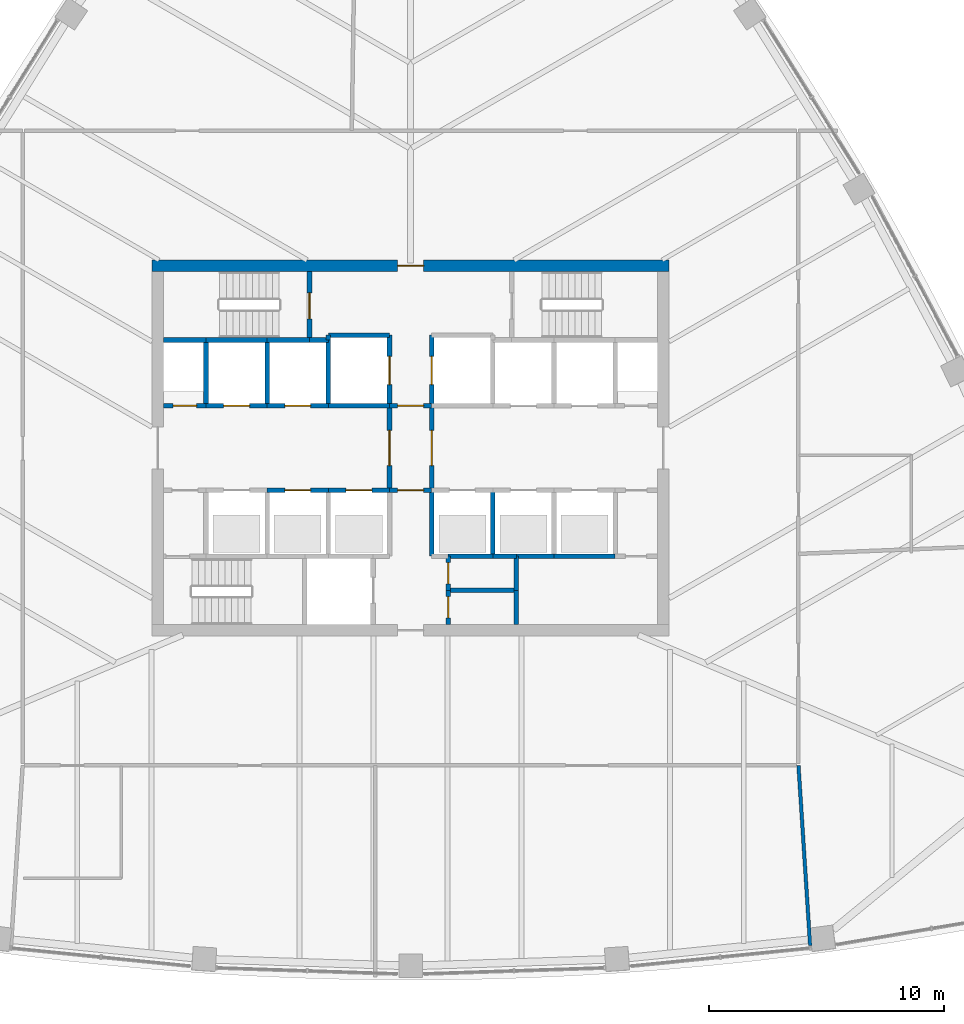
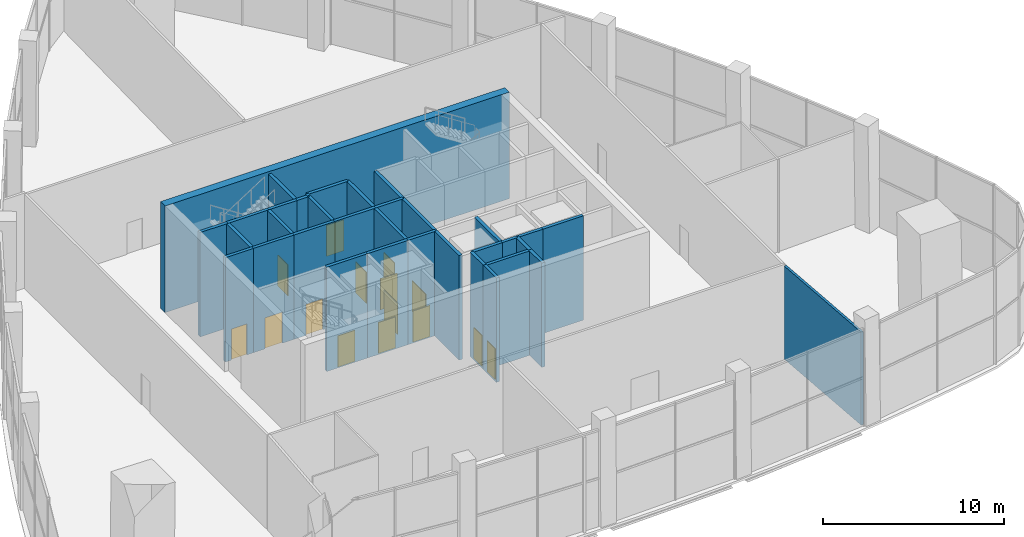
# One storey, part 10 of 15: 35 walls, 15 doors, 15 openings.
"""IFC4 building model written with IfcOpenShell, lengths in metres."""

from ifc_helpers import new_model, si_unit, direction, frame, frame_2d, origin, place, context, subcontext, project, spatial, rectangle, extrude, material, layer, layer_set, type_object, element, fill, save


model = new_model("IFC4")

# Units and contexts
model_context = context("Model", 3, precision=1e-05, world=origin(), true_north=direction((0.0, 1.0)))
body_context = subcontext(model_context, "Body", "Model", "MODEL_VIEW")
ifc_project = project(units=[si_unit("LENGTHUNIT", "METRE"), si_unit("AREAUNIT", "SQUARE_METRE"), si_unit("VOLUMEUNIT", "CUBIC_METRE"), si_unit("PLANEANGLEUNIT", "RADIAN"), si_unit("MASSUNIT", "GRAM", prefix="KILO")], contexts=[model_context])

# Site, building, storey
site_placement = place(None, origin())
site = spatial("IfcSite", under=ifc_project, at=site_placement, CompositionType="ELEMENT")
building_placement = place(site_placement, origin())
building = spatial("IfcBuilding", under=site, at=building_placement, Name="Sierra Prisma Convention Tower", CompositionType="ELEMENT")
storey_placement = place(building_placement, frame((0.0, 0.0, 118.60009765625)))
storey = spatial("IfcBuildingStorey", under=building, at=storey_placement, Name="L25", CompositionType="ELEMENT", Elevation=118.60009765625)

# Wall, opening, door
ifc_material_1 = material(Name="Concrete C30/37", Category="concrete")
ifc_layer_1 = layer(ifc_material_1, 0.199951171875)
ifc_layer_set_1 = layer_set([ifc_layer_1], Name="Core wall RC 200 C30/37")
wall_type_1 = type_object("IfcWallType", Name="Core wall RC 200 C30/37", PredefinedType="SOLIDWALL", material=ifc_layer_set_1)
wall_1_placement = place(storey_placement, frame((-8.699951171875, 1.800048828125, 0.0), z_axis=(0.0, 0.0, 1.0), x_axis=(-1.0, 0.0, 0.0)))
wall_1 = element("IfcWall", 1, at=wall_1_placement, inside=storey, type_object=wall_type_1, Name="Core wall L25 3", PredefinedType="SOLIDWALL", context=body_context, shape_type="SweptSolid", body=[
    extrude(rectangle(XDim=1.800048828125, YDim=0.199951171875, at=frame_2d((0.89990234375, 0.0))), origin(), (0.0, 0.0, 1.0), 7.0498046875),
])
opening_1_placement = place(wall_1_placement, frame((0.39990234375, 0.0, 0.0)))
opening_1 = element("IfcOpeningElement", 2, at=opening_1_placement, cuts=wall_1, Name="Opening L25-D019", PredefinedType="OPENING", context=body_context, shape_type="SweptSolid", body=[
    extrude(rectangle(XDim=1.0, YDim=2.10009765625, at=frame_2d((0.5, 1.050048828125))), frame((0.0, 0.10009765625, 0.0), z_axis=(0.0, -1.0, 0.0), x_axis=(1.0, 0.0, 0.0)), (0.0, 0.0, 1.0), 0.199951171875),
])
ifc_material_2 = material(Name="Steel fire door leaf", Category="steel")
door_type_1 = type_object("IfcDoorType", Name="Door 1000x2100 FD60S", OperationType="SINGLE_SWING_LEFT", PredefinedType="DOOR", material=ifc_material_2)
door_1_placement = place(opening_1_placement, origin())
door_1 = element("IfcDoor", 3, at=door_1_placement, inside=storey, type_object=door_type_1, Name="Door L25 28", OperationType="SINGLE_SWING_RIGHT", OverallHeight=2.10009765625, OverallWidth=1.0, PredefinedType="DOOR", context=body_context, shape_type="SweptSolid", body=[
    extrude(rectangle(XDim=1.0, YDim=2.10009765625, at=frame_2d((0.5, 1.050048828125))), frame((0.0, 0.02490234375, 0.0), z_axis=(0.0, -1.0, 0.0), x_axis=(1.0, 0.0, 0.0)), (0.0, 0.0, 1.0), 0.050048828125),
])
fill(opening_1, door_1)

# Wall
wall_2_placement = place(storey_placement, frame((-8.699951171875, 4.60009765625, 0.0), z_axis=(0.0, 0.0, 1.0), x_axis=(-1.0, 0.0, 0.0)))
element("IfcWall", 4, at=wall_2_placement, inside=storey, type_object=wall_type_1, Name="Core wall L25 4", PredefinedType="SOLIDWALL", context=body_context, shape_type="SweptSolid", body=[
    extrude(rectangle(XDim=1.800048828125, YDim=0.199951171875, at=frame_2d((0.89990234375, 0.0))), origin(), (0.0, 0.0, 1.0), 7.0498046875),
])

# Wall, opening, door
wall_3_placement = place(storey_placement, frame((-6.10009765625, 1.800048828125, 0.0), z_axis=(0.0, 0.0, 1.0), x_axis=(-1.0, 0.0, 0.0)))
wall_3 = element("IfcWall", 5, at=wall_3_placement, inside=storey, type_object=wall_type_1, Name="Core wall L25 8", PredefinedType="SOLIDWALL", context=body_context, shape_type="SweptSolid", body=[
    extrude(rectangle(XDim=2.599853515625, YDim=0.199951171875, at=frame_2d((1.2998046875, 0.0))), origin(), (0.0, 0.0, 1.0), 7.0498046875),
])
opening_2_placement = place(wall_3_placement, frame((0.75, 0.0, 0.0)))
opening_2 = element("IfcOpeningElement", 6, at=opening_2_placement, cuts=wall_3, Name="Opening L25-D007", PredefinedType="OPENING", context=body_context, shape_type="SweptSolid", body=[
    extrude(rectangle(XDim=1.10009765625, YDim=2.10009765625, at=frame_2d((0.550048828125, 1.050048828125))), frame((0.0, 0.10009765625, 0.0), z_axis=(0.0, -1.0, 0.0), x_axis=(1.0, 0.0, 0.0)), (0.0, 0.0, 1.0), 0.199951171875),
])
ifc_material_3 = material(Name="Steel fire door leaf", Category="steel")
door_type_2 = type_object("IfcDoorType", Name="Door 1100x2100 EI 90 sliding lift landing", OperationType="SLIDING_TO_LEFT", PredefinedType="DOOR", material=ifc_material_3)
door_2_placement = place(opening_2_placement, origin())
door_2 = element("IfcDoor", 7, at=door_2_placement, inside=storey, type_object=door_type_2, Name="Door L25 16", OperationType="SLIDING_TO_LEFT", OverallHeight=2.10009765625, OverallWidth=1.10009765625, PredefinedType="DOOR", context=body_context, shape_type="SweptSolid", body=[
    extrude(rectangle(XDim=1.10009765625, YDim=2.10009765625, at=frame_2d((0.550048828125, 1.050048828125))), frame((0.0, 0.02490234375, 0.0), z_axis=(0.0, -1.0, 0.0), x_axis=(1.0, 0.0, 0.0)), (0.0, 0.0, 1.0), 0.050048828125),
])
fill(opening_2, door_2)

# Walls
wall_4_placement = place(storey_placement, frame((-8.699951171875, 1.800048828125, 0.0), z_axis=(0.0, 0.0, 1.0), x_axis=(0.0, 1.0, 0.0)))
element("IfcWall", 8, at=wall_4_placement, inside=storey, type_object=wall_type_1, Name="Core wall L25 9", PredefinedType="SOLIDWALL", context=body_context, shape_type="SweptSolid", body=[
    extrude(rectangle(XDim=2.800048828125, YDim=0.199951171875, at=frame_2d((1.39990234375, 0.0))), origin(), (0.0, 0.0, 1.0), 7.0498046875),
])
wall_5_placement = place(storey_placement, frame((-6.10009765625, 4.60009765625, 0.0), z_axis=(0.0, 0.0, 1.0), x_axis=(-1.0, 0.0, 0.0)))
element("IfcWall", 9, at=wall_5_placement, inside=storey, type_object=wall_type_1, Name="Core wall L25 10", PredefinedType="SOLIDWALL", context=body_context, shape_type="SweptSolid", body=[
    extrude(rectangle(XDim=2.599853515625, YDim=0.199951171875, at=frame_2d((1.2998046875, 0.0))), origin(), (0.0, 0.0, 1.0), 7.0498046875),
])

# Wall, opening, door
wall_6_placement = place(storey_placement, frame((-6.10009765625, -1.800048828125, 0.0), z_axis=(0.0, 0.0, 1.0), x_axis=(1.0, 0.0, 0.0)))
wall_6 = element("IfcWall", 10, at=wall_6_placement, inside=storey, type_object=wall_type_1, Name="Core wall L25 13", PredefinedType="SOLIDWALL", context=body_context, shape_type="SweptSolid", body=[
    extrude(rectangle(XDim=2.60009765625, YDim=0.199951171875, at=frame_2d((1.300048828125, 0.0))), origin(), (0.0, 0.0, 1.0), 7.0498046875),
])
opening_3_placement = place(wall_6_placement, frame((0.75, 0.0, 0.0)))
opening_3 = element("IfcOpeningElement", 11, at=opening_3_placement, cuts=wall_6, Name="Opening L25-D002", PredefinedType="OPENING", context=body_context, shape_type="SweptSolid", body=[
    extrude(rectangle(XDim=1.10009765625, YDim=2.10009765625, at=frame_2d((0.550048828125, 1.050048828125))), frame((0.0, 0.10009765625, 0.0), z_axis=(0.0, -1.0, 0.0), x_axis=(1.0, 0.0, 0.0)), (0.0, 0.0, 1.0), 0.199951171875),
])
door_3_placement = place(opening_3_placement, origin())
door_3 = element("IfcDoor", 12, at=door_3_placement, inside=storey, type_object=door_type_2, Name="Door L25 11", OperationType="SLIDING_TO_RIGHT", OverallHeight=2.10009765625, OverallWidth=1.10009765625, PredefinedType="DOOR", context=body_context, shape_type="SweptSolid", body=[
    extrude(rectangle(XDim=1.10009765625, YDim=2.10009765625, at=frame_2d((0.550048828125, 1.050048828125))), frame((0.0, 0.02490234375, 0.0), z_axis=(0.0, -1.0, 0.0), x_axis=(1.0, 0.0, 0.0)), (0.0, 0.0, 1.0), 0.050048828125),
])
fill(opening_3, door_3)

wall_7_placement = place(storey_placement, frame((-3.5, 1.800048828125, 0.0), z_axis=(0.0, 0.0, 1.0), x_axis=(-1.0, 0.0, 0.0)))
wall_7 = element("IfcWall", 13, at=wall_7_placement, inside=storey, type_object=wall_type_1, Name="Core wall L25 14", PredefinedType="SOLIDWALL", context=body_context, shape_type="SweptSolid", body=[
    extrude(rectangle(XDim=2.60009765625, YDim=0.199951171875, at=frame_2d((1.300048828125, 0.0))), origin(), (0.0, 0.0, 1.0), 7.0498046875),
])
opening_4_placement = place(wall_7_placement, frame((0.75, 0.0, 0.0)))
opening_4 = element("IfcOpeningElement", 14, at=opening_4_placement, cuts=wall_7, Name="Opening L25-D008", PredefinedType="OPENING", context=body_context, shape_type="SweptSolid", body=[
    extrude(rectangle(XDim=1.10009765625, YDim=2.10009765625, at=frame_2d((0.550048828125, 1.050048828125))), frame((0.0, 0.10009765625, 0.0), z_axis=(0.0, -1.0, 0.0), x_axis=(1.0, 0.0, 0.0)), (0.0, 0.0, 1.0), 0.199951171875),
])
door_4_placement = place(opening_4_placement, origin())
door_4 = element("IfcDoor", 15, at=door_4_placement, inside=storey, type_object=door_type_2, Name="Door L25 17", OperationType="SLIDING_TO_RIGHT", OverallHeight=2.10009765625, OverallWidth=1.10009765625, PredefinedType="DOOR", context=body_context, shape_type="SweptSolid", body=[
    extrude(rectangle(XDim=1.10009765625, YDim=2.10009765625, at=frame_2d((0.550048828125, 1.050048828125))), frame((0.0, 0.02490234375, 0.0), z_axis=(0.0, -1.0, 0.0), x_axis=(1.0, 0.0, 0.0)), (0.0, 0.0, 1.0), 0.050048828125),
])
fill(opening_4, door_4)

# Walls
wall_8_placement = place(storey_placement, frame((-6.10009765625, 1.800048828125, 0.0), z_axis=(0.0, 0.0, 1.0), x_axis=(0.0, 1.0, 0.0)))
element("IfcWall", 16, at=wall_8_placement, inside=storey, type_object=wall_type_1, Name="Core wall L25 15", PredefinedType="SOLIDWALL", context=body_context, shape_type="SweptSolid", body=[
    extrude(rectangle(XDim=2.800048828125, YDim=0.199951171875, at=frame_2d((1.39990234375, 0.0))), origin(), (0.0, 0.0, 1.0), 7.0498046875),
])
wall_9_placement = place(storey_placement, frame((-4.300048828125, 4.60009765625, 0.0), z_axis=(0.0, 0.0, 1.0), x_axis=(-1.0, 0.0, 0.0)))
element("IfcWall", 17, at=wall_9_placement, inside=storey, type_object=wall_type_1, Name="Core wall L25 16", PredefinedType="SOLIDWALL", context=body_context, shape_type="SweptSolid", body=[
    extrude(rectangle(XDim=1.800048828125, YDim=0.199951171875, at=frame_2d((0.89990234375, 0.0))), origin(), (0.0, 0.0, 1.0), 7.0498046875),
])
wall_10_placement = place(storey_placement, frame((-3.5, 4.60009765625, 0.0), z_axis=(0.0, 0.0, 1.0), x_axis=(-1.0, 0.0, 0.0)))
element("IfcWall", 18, at=wall_10_placement, inside=storey, type_object=wall_type_1, Name="Core wall L25 19", PredefinedType="SOLIDWALL", context=body_context, shape_type="SweptSolid", body=[
    extrude(rectangle(XDim=0.800048828125, YDim=0.199951171875, at=frame_2d((0.39990234375, 0.0))), origin(), (0.0, 0.0, 1.0), 7.0498046875),
])

# Wall, opening, door
wall_11_placement = place(storey_placement, frame((-4.300048828125, 4.60009765625, 0.0), z_axis=(0.0, 0.0, 1.0), x_axis=(0.0, 1.0, 0.0)))
wall_11 = element("IfcWall", 19, at=wall_11_placement, inside=storey, type_object=wall_type_1, Name="Core wall L25 20", PredefinedType="SOLIDWALL", context=body_context, shape_type="SweptSolid", body=[
    extrude(rectangle(XDim=2.89990234375, YDim=0.199951171875, at=frame_2d((1.449951171875, 0.0))), origin(), (0.0, 0.0, 1.0), 7.0498046875),
])
opening_5_placement = place(wall_11_placement, frame((0.89990234375, 0.0, 0.0)))
opening_5 = element("IfcOpeningElement", 20, at=opening_5_placement, cuts=wall_11, Name="Opening L25-D022", PredefinedType="OPENING", context=body_context, shape_type="SweptSolid", body=[
    extrude(rectangle(XDim=1.10009765625, YDim=2.10009765625, at=frame_2d((0.550048828125, 1.050048828125))), frame((0.0, 0.10009765625, 0.0), z_axis=(0.0, -1.0, 0.0), x_axis=(1.0, 0.0, 0.0)), (0.0, 0.0, 1.0), 0.199951171875),
])
ifc_material_4 = material(Name="Steel fire door leaf", Category="steel")
door_type_3 = type_object("IfcDoorType", Name="Door 1100x2100 FD90S", OperationType="SINGLE_SWING_LEFT", PredefinedType="DOOR", material=ifc_material_4)
door_5_placement = place(opening_5_placement, origin())
door_5 = element("IfcDoor", 21, at=door_5_placement, inside=storey, type_object=door_type_3, Name="Door L25 31", OperationType="SINGLE_SWING_LEFT", OverallHeight=2.10009765625, OverallWidth=1.10009765625, PredefinedType="DOOR", context=body_context, shape_type="SweptSolid", body=[
    extrude(rectangle(XDim=1.10009765625, YDim=2.10009765625, at=frame_2d((0.550048828125, 1.050048828125))), frame((0.0, 0.02490234375, 0.0), z_axis=(0.0, -1.0, 0.0), x_axis=(1.0, 0.0, 0.0)), (0.0, 0.0, 1.0), 0.050048828125),
])
fill(opening_5, door_5)

wall_12_placement = place(storey_placement, frame((-3.5, -1.800048828125, 0.0), z_axis=(0.0, 0.0, 1.0), x_axis=(1.0, 0.0, 0.0)))
wall_12 = element("IfcWall", 22, at=wall_12_placement, inside=storey, type_object=wall_type_1, Name="Core wall L25 23", PredefinedType="SOLIDWALL", context=body_context, shape_type="SweptSolid", body=[
    extrude(rectangle(XDim=2.60009765625, YDim=0.199951171875, at=frame_2d((1.300048828125, 0.0))), origin(), (0.0, 0.0, 1.0), 7.0498046875),
])
opening_6_placement = place(wall_12_placement, frame((0.75, 0.0, 0.0)))
opening_6 = element("IfcOpeningElement", 23, at=opening_6_placement, cuts=wall_12, Name="Opening L25-D003", PredefinedType="OPENING", context=body_context, shape_type="SweptSolid", body=[
    extrude(rectangle(XDim=1.10009765625, YDim=2.10009765625, at=frame_2d((0.550048828125, 1.050048828125))), frame((0.0, 0.10009765625, 0.0), z_axis=(0.0, -1.0, 0.0), x_axis=(1.0, 0.0, 0.0)), (0.0, 0.0, 1.0), 0.199951171875),
])
door_6_placement = place(opening_6_placement, origin())
door_6 = element("IfcDoor", 24, at=door_6_placement, inside=storey, type_object=door_type_2, Name="Door L25 12", OperationType="SLIDING_TO_LEFT", OverallHeight=2.10009765625, OverallWidth=1.10009765625, PredefinedType="DOOR", context=body_context, shape_type="SweptSolid", body=[
    extrude(rectangle(XDim=1.10009765625, YDim=2.10009765625, at=frame_2d((0.550048828125, 1.050048828125))), frame((0.0, 0.02490234375, 0.0), z_axis=(0.0, -1.0, 0.0), x_axis=(1.0, 0.0, 0.0)), (0.0, 0.0, 1.0), 0.050048828125),
])
fill(opening_6, door_6)

# Walls
wall_13_placement = place(storey_placement, frame((-0.89990234375, 1.800048828125, 0.0), z_axis=(0.0, 0.0, 1.0), x_axis=(-1.0, 0.0, 0.0)))
element("IfcWall", 25, at=wall_13_placement, inside=storey, type_object=wall_type_1, Name="Core wall L25 24", PredefinedType="SOLIDWALL", context=body_context, shape_type="SweptSolid", body=[
    extrude(rectangle(XDim=2.60009765625, YDim=0.199951171875, at=frame_2d((1.300048828125, 0.0))), origin(), (0.0, 0.0, 1.0), 7.0498046875),
])
wall_14_placement = place(storey_placement, frame((-3.5, 4.60009765625, 0.0), z_axis=(0.0, 0.0, 1.0), x_axis=(0.0, -1.0, 0.0)))
element("IfcWall", 26, at=wall_14_placement, inside=storey, type_object=wall_type_1, Name="Core wall L25 25", PredefinedType="SOLIDWALL", context=body_context, shape_type="SweptSolid", body=[
    extrude(rectangle(XDim=2.800048828125, YDim=0.199951171875, at=frame_2d((1.39990234375, 0.0))), origin(), (0.0, 0.0, 1.0), 7.0498046875),
])

# Wall, opening, door
wall_15_placement = place(storey_placement, frame((-0.89990234375, 1.800048828125, 0.0), z_axis=(0.0, 0.0, 1.0), x_axis=(0.0, 1.0, 0.0)))
wall_15 = element("IfcWall", 27, at=wall_15_placement, inside=storey, type_object=wall_type_1, Name="Core wall L25 26", PredefinedType="SOLIDWALL", context=body_context, shape_type="SweptSolid", body=[
    extrude(rectangle(XDim=3.0, YDim=0.199951171875, at=frame_2d((1.5, 0.0))), origin(), (0.0, 0.0, 1.0), 7.0498046875),
])
opening_7_placement = place(wall_15_placement, frame((0.89990234375, 0.0, 0.0)))
opening_7 = element("IfcOpeningElement", 28, at=opening_7_placement, cuts=wall_15, Name="Opening L25-D011", PredefinedType="OPENING", context=body_context, shape_type="SweptSolid", body=[
    extrude(rectangle(XDim=1.199951171875, YDim=2.10009765625, at=frame_2d((0.60009765625, 1.050048828125))), frame((0.0, 0.10009765625, 0.0), z_axis=(0.0, -1.0, 0.0), x_axis=(1.0, 0.0, 0.0)), (0.0, 0.0, 1.0), 0.199951171875),
])
ifc_material_5 = material(Name="Steel fire door leaf", Category="steel")
door_type_4 = type_object("IfcDoorType", Name="Door 1200x2100 EI 90 sliding lift landing", OperationType="SLIDING_TO_LEFT", PredefinedType="DOOR", material=ifc_material_5)
door_7_placement = place(opening_7_placement, origin())
door_7 = element("IfcDoor", 29, at=door_7_placement, inside=storey, type_object=door_type_4, Name="Door L25 20", OperationType="SLIDING_TO_RIGHT", OverallHeight=2.10009765625, OverallWidth=1.199951171875, PredefinedType="DOOR", context=body_context, shape_type="SweptSolid", body=[
    extrude(rectangle(XDim=1.199951171875, YDim=2.10009765625, at=frame_2d((0.60009765625, 1.050048828125))), frame((0.0, 0.02490234375, 0.0), z_axis=(0.0, -1.0, 0.0), x_axis=(1.0, 0.0, 0.0)), (0.0, 0.0, 1.0), 0.050048828125),
])
fill(opening_7, door_7)

# Walls
wall_16_placement = place(storey_placement, frame((-0.89990234375, 4.800048828125, 0.0), z_axis=(0.0, 0.0, 1.0), x_axis=(-1.0, 0.0, 0.0)))
element("IfcWall", 30, at=wall_16_placement, inside=storey, type_object=wall_type_1, Name="Core wall L25 27", PredefinedType="SOLIDWALL", context=body_context, shape_type="SweptSolid", body=[
    extrude(rectangle(XDim=2.60009765625, YDim=0.199951171875, at=frame_2d((1.300048828125, 0.0))), origin(), (0.0, 0.0, 1.0), 7.0498046875),
])
wall_17_placement = place(storey_placement, frame((-3.5, 4.800048828125, 0.0), z_axis=(0.0, 0.0, 1.0), x_axis=(0.0, -1.0, 0.0)))
element("IfcWall", 31, at=wall_17_placement, inside=storey, type_object=wall_type_1, Name="Core wall L25 28", PredefinedType="SOLIDWALL", context=body_context, shape_type="SweptSolid", body=[
    extrude(rectangle(XDim=0.199951171875, YDim=0.199951171875, at=frame_2d((0.10009765625, 0.0))), origin(), (0.0, 0.0, 1.0), 7.0498046875),
])

# Wall, opening, door
wall_18_placement = place(storey_placement, frame((-0.89990234375, -1.800048828125, 0.0), z_axis=(0.0, 0.0, 1.0), x_axis=(1.0, 0.0, 0.0)))
wall_18 = element("IfcWall", 32, at=wall_18_placement, inside=storey, type_object=wall_type_1, Name="Core wall L25 32", PredefinedType="SOLIDWALL", context=body_context, shape_type="SweptSolid", body=[
    extrude(rectangle(XDim=1.7998046875, YDim=0.199951171875, at=frame_2d((0.89990234375, 0.0))), origin(), (0.0, 0.0, 1.0), 7.0498046875),
])
opening_8_placement = place(wall_18_placement, frame((0.35009765625, 0.0, 0.0)))
opening_8 = element("IfcOpeningElement", 33, at=opening_8_placement, cuts=wall_18, Name="Opening L25-D018", PredefinedType="OPENING", context=body_context, shape_type="SweptSolid", body=[
    extrude(rectangle(XDim=1.10009765625, YDim=2.10009765625, at=frame_2d((0.550048828125, 1.050048828125))), frame((0.0, 0.10009765625, 0.0), z_axis=(0.0, -1.0, 0.0), x_axis=(1.0, 0.0, 0.0)), (0.0, 0.0, 1.0), 0.199951171875),
])
ifc_material_6 = material(Name="Steel fire door leaf", Category="steel")
door_type_5 = type_object("IfcDoorType", Name="Door 1100x2100 FD30S", OperationType="SINGLE_SWING_LEFT", PredefinedType="DOOR", material=ifc_material_6)
door_8_placement = place(opening_8_placement, origin())
door_8 = element("IfcDoor", 34, at=door_8_placement, inside=storey, type_object=door_type_5, Name="Door L25 27", OperationType="SINGLE_SWING_LEFT", OverallHeight=2.10009765625, OverallWidth=1.10009765625, PredefinedType="DOOR", context=body_context, shape_type="SweptSolid", body=[
    extrude(rectangle(XDim=1.10009765625, YDim=2.10009765625, at=frame_2d((0.550048828125, 1.050048828125))), frame((0.0, 0.02490234375, 0.0), z_axis=(0.0, -1.0, 0.0), x_axis=(1.0, 0.0, 0.0)), (0.0, 0.0, 1.0), 0.050048828125),
])
fill(opening_8, door_8)

wall_19_placement = place(storey_placement, frame((-0.89990234375, 1.800048828125, 0.0), z_axis=(0.0, 0.0, 1.0), x_axis=(0.0, -1.0, 0.0)))
wall_19 = element("IfcWall", 35, at=wall_19_placement, inside=storey, type_object=wall_type_1, Name="Core wall L25 33", PredefinedType="SOLIDWALL", context=body_context, shape_type="SweptSolid", body=[
    extrude(rectangle(XDim=3.60009765625, YDim=0.199951171875, at=frame_2d((1.800048828125, 0.0))), origin(), (0.0, 0.0, 1.0), 7.0498046875),
])
opening_9_placement = place(wall_19_placement, frame((1.050048828125, 0.0, 0.0)))
opening_9 = element("IfcOpeningElement", 36, at=opening_9_placement, cuts=wall_19, Name="Opening L25-D014", PredefinedType="OPENING", context=body_context, shape_type="SweptSolid", body=[
    extrude(rectangle(XDim=1.5, YDim=2.10009765625, at=frame_2d((0.75, 1.050048828125))), frame((0.0, 0.10009765625, 0.0), z_axis=(0.0, -1.0, 0.0), x_axis=(1.0, 0.0, 0.0)), (0.0, 0.0, 1.0), 0.199951171875),
])
ifc_material_7 = material(Name="Steel fire door leaf", Category="steel")
door_type_6 = type_object("IfcDoorType", Name="Door 1500x2100 FD30S", OperationType="DOUBLE_DOOR_SINGLE_SWING", PredefinedType="DOOR", material=ifc_material_7)
door_9_placement = place(opening_9_placement, origin())
door_9 = element("IfcDoor", 37, at=door_9_placement, inside=storey, type_object=door_type_6, Name="Door L25 23", OperationType="DOUBLE_DOOR_SINGLE_SWING", OverallHeight=2.10009765625, OverallWidth=1.5, PredefinedType="DOOR", context=body_context, shape_type="SweptSolid", body=[
    extrude(rectangle(XDim=1.5, YDim=2.10009765625, at=frame_2d((0.75, 1.050048828125))), frame((0.0, 0.02490234375, 0.0), z_axis=(0.0, -1.0, 0.0), x_axis=(1.0, 0.0, 0.0)), (0.0, 0.0, 1.0), 0.050048828125),
])
fill(opening_9, door_9)

wall_20_placement = place(storey_placement, frame((0.89990234375, 1.800048828125, 0.0), z_axis=(0.0, 0.0, 1.0), x_axis=(-1.0, 0.0, 0.0)))
wall_20 = element("IfcWall", 38, at=wall_20_placement, inside=storey, type_object=wall_type_1, Name="Core wall L25 34", PredefinedType="SOLIDWALL", context=body_context, shape_type="SweptSolid", body=[
    extrude(rectangle(XDim=1.7998046875, YDim=0.199951171875, at=frame_2d((0.89990234375, 0.0))), origin(), (0.0, 0.0, 1.0), 7.0498046875),
])
opening_10_placement = place(wall_20_placement, frame((0.35009765625, 0.0, 0.0)))
opening_10 = element("IfcOpeningElement", 39, at=opening_10_placement, cuts=wall_20, Name="Opening L25-D017", PredefinedType="OPENING", context=body_context, shape_type="SweptSolid", body=[
    extrude(rectangle(XDim=1.10009765625, YDim=2.10009765625, at=frame_2d((0.550048828125, 1.050048828125))), frame((0.0, 0.10009765625, 0.0), z_axis=(0.0, -1.0, 0.0), x_axis=(1.0, 0.0, 0.0)), (0.0, 0.0, 1.0), 0.199951171875),
])
ifc_material_8 = material(Name="Steel fire door leaf", Category="steel")
door_type_7 = type_object("IfcDoorType", Name="Door 1100x2100 FD60S", OperationType="SINGLE_SWING_LEFT", PredefinedType="DOOR", material=ifc_material_8)
door_10_placement = place(opening_10_placement, origin())
door_10 = element("IfcDoor", 40, at=door_10_placement, inside=storey, type_object=door_type_7, Name="Door L25 26", OperationType="SINGLE_SWING_RIGHT", OverallHeight=2.10009765625, OverallWidth=1.10009765625, PredefinedType="DOOR", context=body_context, shape_type="SweptSolid", body=[
    extrude(rectangle(XDim=1.10009765625, YDim=2.10009765625, at=frame_2d((0.550048828125, 1.050048828125))), frame((0.0, 0.02490234375, 0.0), z_axis=(0.0, -1.0, 0.0), x_axis=(1.0, 0.0, 0.0)), (0.0, 0.0, 1.0), 0.050048828125),
])
fill(opening_10, door_10)

wall_21_placement = place(storey_placement, frame((0.89990234375, -1.800048828125, 0.0), z_axis=(0.0, 0.0, 1.0), x_axis=(0.0, 1.0, 0.0)))
wall_21 = element("IfcWall", 41, at=wall_21_placement, inside=storey, type_object=wall_type_1, Name="Core wall L25 36", PredefinedType="SOLIDWALL", context=body_context, shape_type="SweptSolid", body=[
    extrude(rectangle(XDim=3.60009765625, YDim=0.199951171875, at=frame_2d((1.800048828125, 0.0))), origin(), (0.0, 0.0, 1.0), 7.0498046875),
])
opening_11_placement = place(wall_21_placement, frame((1.050048828125, 0.0, 0.0)))
opening_11 = element("IfcOpeningElement", 42, at=opening_11_placement, cuts=wall_21, Name="Opening L25-D015", PredefinedType="OPENING", context=body_context, shape_type="SweptSolid", body=[
    extrude(rectangle(XDim=1.5, YDim=2.10009765625, at=frame_2d((0.75, 1.050048828125))), frame((0.0, 0.10009765625, 0.0), z_axis=(0.0, -1.0, 0.0), x_axis=(1.0, 0.0, 0.0)), (0.0, 0.0, 1.0), 0.199951171875),
])
door_11_placement = place(opening_11_placement, origin())
door_11 = element("IfcDoor", 43, at=door_11_placement, inside=storey, type_object=door_type_6, Name="Door L25 24", OperationType="DOUBLE_DOOR_SINGLE_SWING", OverallHeight=2.10009765625, OverallWidth=1.5, PredefinedType="DOOR", context=body_context, shape_type="SweptSolid", body=[
    extrude(rectangle(XDim=1.5, YDim=2.10009765625, at=frame_2d((0.75, 1.050048828125))), frame((0.0, 0.02490234375, 0.0), z_axis=(0.0, -1.0, 0.0), x_axis=(1.0, 0.0, 0.0)), (0.0, 0.0, 1.0), 0.050048828125),
])
fill(opening_11, door_11)

# Wall
wall_22_placement = place(storey_placement, frame((0.89990234375, -1.800048828125, 0.0), z_axis=(0.0, 0.0, 1.0), x_axis=(0.0, -1.0, 0.0)))
element("IfcWall", 44, at=wall_22_placement, inside=storey, type_object=wall_type_1, Name="Core wall L25 37", PredefinedType="SOLIDWALL", context=body_context, shape_type="SweptSolid", body=[
    extrude(rectangle(XDim=2.800048828125, YDim=0.199951171875, at=frame_2d((1.39990234375, 0.0))), origin(), (0.0, 0.0, 1.0), 7.0498046875),
])

# Wall, opening, door
wall_23_placement = place(storey_placement, frame((0.89990234375, 4.800048828125, 0.0), z_axis=(0.0, 0.0, 1.0), x_axis=(0.0, -1.0, 0.0)))
wall_23 = element("IfcWall", 45, at=wall_23_placement, inside=storey, type_object=wall_type_1, Name="Core wall L25 42", PredefinedType="SOLIDWALL", context=body_context, shape_type="SweptSolid", body=[
    extrude(rectangle(XDim=3.0, YDim=0.199951171875, at=frame_2d((1.5, 0.0))), origin(), (0.0, 0.0, 1.0), 7.0498046875),
])
opening_12_placement = place(wall_23_placement, frame((0.89990234375, 0.0, 0.0)))
opening_12 = element("IfcOpeningElement", 46, at=opening_12_placement, cuts=wall_23, Name="Opening L25-D012", PredefinedType="OPENING", context=body_context, shape_type="SweptSolid", body=[
    extrude(rectangle(XDim=1.199951171875, YDim=2.10009765625, at=frame_2d((0.60009765625, 1.050048828125))), frame((0.0, 0.10009765625, 0.0), z_axis=(0.0, -1.0, 0.0), x_axis=(1.0, 0.0, 0.0)), (0.0, 0.0, 1.0), 0.199951171875),
])
door_12_placement = place(opening_12_placement, origin())
door_12 = element("IfcDoor", 47, at=door_12_placement, inside=storey, type_object=door_type_4, Name="Door L25 21", OperationType="SLIDING_TO_LEFT", OverallHeight=2.10009765625, OverallWidth=1.199951171875, PredefinedType="DOOR", context=body_context, shape_type="SweptSolid", body=[
    extrude(rectangle(XDim=1.199951171875, YDim=2.10009765625, at=frame_2d((0.60009765625, 1.050048828125))), frame((0.0, 0.02490234375, 0.0), z_axis=(0.0, -1.0, 0.0), x_axis=(1.0, 0.0, 0.0)), (0.0, 0.0, 1.0), 0.050048828125),
])
fill(opening_12, door_12)

wall_24_placement = place(storey_placement, frame((1.60009765625, -6.050048828125, 0.0), z_axis=(0.0, 0.0, 1.0), x_axis=(0.0, -1.0, 0.0)))
wall_24 = element("IfcWall", 48, at=wall_24_placement, inside=storey, type_object=wall_type_1, Name="Core wall L25 43", PredefinedType="SOLIDWALL", context=body_context, shape_type="SweptSolid", body=[
    extrude(rectangle(XDim=1.449951171875, YDim=0.199951171875, at=frame_2d((0.72509765625, 0.0))), origin(), (0.0, 0.0, 1.0), 7.0498046875),
])
opening_13_placement = place(wall_24_placement, frame((0.27490234375, 0.0, 0.0)))
opening_13 = element("IfcOpeningElement", 49, at=opening_13_placement, cuts=wall_24, Name="Opening L25-D026", PredefinedType="OPENING", context=body_context, shape_type="SweptSolid", body=[
    extrude(rectangle(XDim=0.89990234375, YDim=2.10009765625, at=frame_2d((0.449951171875, 1.050048828125))), frame((0.0, 0.10009765625, 0.0), z_axis=(0.0, -1.0, 0.0), x_axis=(1.0, 0.0, 0.0)), (0.0, 0.0, 1.0), 0.199951171875),
])
ifc_material_9 = material(Name="Steel fire door leaf", Category="steel")
door_type_8 = type_object("IfcDoorType", Name="Door 900x2100 FD30S", OperationType="SINGLE_SWING_LEFT", PredefinedType="DOOR", material=ifc_material_9)
door_13_placement = place(opening_13_placement, origin())
door_13 = element("IfcDoor", 50, at=door_13_placement, inside=storey, type_object=door_type_8, Name="Door L25 35", OperationType="SINGLE_SWING_LEFT", OverallHeight=2.10009765625, OverallWidth=0.89990234375, PredefinedType="DOOR", context=body_context, shape_type="SweptSolid", body=[
    extrude(rectangle(XDim=0.89990234375, YDim=2.10009765625, at=frame_2d((0.449951171875, 1.050048828125))), frame((0.0, 0.02490234375, 0.0), z_axis=(0.0, -1.0, 0.0), x_axis=(1.0, 0.0, 0.0)), (0.0, 0.0, 1.0), 0.050048828125),
])
fill(opening_13, door_13)

# Wall
wall_25_placement = place(storey_placement, frame((4.5, -6.050048828125, 0.0), z_axis=(0.0, 0.0, 1.0), x_axis=(-1.0, 0.0, 0.0)))
element("IfcWall", 51, at=wall_25_placement, inside=storey, type_object=wall_type_1, Name="Core wall L25 44", PredefinedType="SOLIDWALL", context=body_context, shape_type="SweptSolid", body=[
    extrude(rectangle(XDim=2.89990234375, YDim=0.199951171875, at=frame_2d((1.449951171875, 0.0))), origin(), (0.0, 0.0, 1.0), 7.0498046875),
])

# Wall, opening, door
wall_26_placement = place(storey_placement, frame((1.60009765625, -4.60009765625, 0.0), z_axis=(0.0, 0.0, 1.0), x_axis=(0.0, -1.0, 0.0)))
wall_26 = element("IfcWall", 52, at=wall_26_placement, inside=storey, type_object=wall_type_1, Name="Core wall L25 45", PredefinedType="SOLIDWALL", context=body_context, shape_type="SweptSolid", body=[
    extrude(rectangle(XDim=1.449951171875, YDim=0.199951171875, at=frame_2d((0.72509765625, 0.0))), origin(), (0.0, 0.0, 1.0), 7.0498046875),
])
opening_14_placement = place(wall_26_placement, frame((0.27490234375, 0.0, 0.0)))
opening_14 = element("IfcOpeningElement", 53, at=opening_14_placement, cuts=wall_26, Name="Opening L25-D027", PredefinedType="OPENING", context=body_context, shape_type="SweptSolid", body=[
    extrude(rectangle(XDim=0.89990234375, YDim=2.10009765625, at=frame_2d((0.449951171875, 1.050048828125))), frame((0.0, 0.10009765625, 0.0), z_axis=(0.0, -1.0, 0.0), x_axis=(1.0, 0.0, 0.0)), (0.0, 0.0, 1.0), 0.199951171875),
])
door_14_placement = place(opening_14_placement, origin())
door_14 = element("IfcDoor", 54, at=door_14_placement, inside=storey, type_object=door_type_8, Name="Door L25 36", OperationType="SINGLE_SWING_LEFT", OverallHeight=2.10009765625, OverallWidth=0.89990234375, PredefinedType="DOOR", context=body_context, shape_type="SweptSolid", body=[
    extrude(rectangle(XDim=0.89990234375, YDim=2.10009765625, at=frame_2d((0.449951171875, 1.050048828125))), frame((0.0, 0.02490234375, 0.0), z_axis=(0.0, -1.0, 0.0), x_axis=(1.0, 0.0, 0.0)), (0.0, 0.0, 1.0), 0.050048828125),
])
fill(opening_14, door_14)

# Walls
wall_27_placement = place(storey_placement, frame((3.5, -4.60009765625, 0.0), z_axis=(0.0, 0.0, 1.0), x_axis=(-1.0, 0.0, 0.0)))
element("IfcWall", 55, at=wall_27_placement, inside=storey, type_object=wall_type_1, Name="Core wall L25 46", PredefinedType="SOLIDWALL", context=body_context, shape_type="SweptSolid", body=[
    extrude(rectangle(XDim=1.89990234375, YDim=0.199951171875, at=frame_2d((0.949951171875, 0.0))), origin(), (0.0, 0.0, 1.0), 7.0498046875),
])
wall_28_placement = place(storey_placement, frame((4.5, -4.60009765625, 0.0), z_axis=(0.0, 0.0, 1.0), x_axis=(-1.0, 0.0, 0.0)))
element("IfcWall", 56, at=wall_28_placement, inside=storey, type_object=wall_type_1, Name="Core wall L25 47", PredefinedType="SOLIDWALL", context=body_context, shape_type="SweptSolid", body=[
    extrude(rectangle(XDim=1.0, YDim=0.199951171875, at=frame_2d((0.5, 0.0))), origin(), (0.0, 0.0, 1.0), 7.0498046875),
])
wall_29_placement = place(storey_placement, frame((3.5, -4.60009765625, 0.0), z_axis=(0.0, 0.0, 1.0), x_axis=(0.0, 1.0, 0.0)))
element("IfcWall", 57, at=wall_29_placement, inside=storey, type_object=wall_type_1, Name="Core wall L25 48", PredefinedType="SOLIDWALL", context=body_context, shape_type="SweptSolid", body=[
    extrude(rectangle(XDim=2.800048828125, YDim=0.199951171875, at=frame_2d((1.39990234375, 0.0))), origin(), (0.0, 0.0, 1.0), 7.0498046875),
])
for number, where, z_axis, x_axis, name in (
    (58, (4.5, -6.050048828125, 0.0), (0.0, 0.0, 1.0), (0.0, -1.0, 0.0), "Core wall L25 55"),
    (59, (4.5, -4.60009765625, 0.0), (0.0, 0.0, 1.0), (0.0, -1.0, 0.0), "Core wall L25 56"),
):
    element("IfcWall", number, at=place(storey_placement, frame(where, z_axis=z_axis, x_axis=x_axis)), inside=storey, type_object=wall_type_1, Name=name, PredefinedType="SOLIDWALL", context=body_context, shape_type="SweptSolid", body=[
        extrude(rectangle(XDim=1.449951171875, YDim=0.199951171875, at=frame_2d((0.72509765625, 0.0))), origin(), (0.0, 0.0, 1.0), 7.0498046875),
    ])
wall_30_placement = place(storey_placement, frame((6.10009765625, -4.60009765625, 0.0), z_axis=(0.0, 0.0, 1.0), x_axis=(-1.0, 0.0, 0.0)))
element("IfcWall", 60, at=wall_30_placement, inside=storey, type_object=wall_type_1, Name="Core wall L25 57", PredefinedType="SOLIDWALL", context=body_context, shape_type="SweptSolid", body=[
    extrude(rectangle(XDim=1.60009765625, YDim=0.199951171875, at=frame_2d((0.800048828125, 0.0))), origin(), (0.0, 0.0, 1.0), 7.0498046875),
])
wall_31_placement = place(storey_placement, frame((8.699951171875, -4.60009765625, 0.0), z_axis=(0.0, 0.0, 1.0), x_axis=(-1.0, 0.0, 0.0)))
element("IfcWall", 61, at=wall_31_placement, inside=storey, type_object=wall_type_1, Name="Core wall L25 58", PredefinedType="SOLIDWALL", context=body_context, shape_type="SweptSolid", body=[
    extrude(rectangle(XDim=2.599853515625, YDim=0.199951171875, at=frame_2d((1.2998046875, 0.0))), origin(), (0.0, 0.0, 1.0), 7.0498046875),
])

# Wall, opening, door
ifc_material_10 = material(Name="Concrete C60/75", Category="concrete")
ifc_layer_2 = layer(ifc_material_10, 0.5)
ifc_layer_set_2 = layer_set([ifc_layer_2], Name="Core wall RC 500 C60/75")
wall_type_2 = type_object("IfcWallType", Name="Core wall RC 500 C60/75", PredefinedType="SHEAR", material=ifc_layer_set_2)
wall_32_placement = place(storey_placement, frame((-11.0, 7.75, 0.0), z_axis=(0.0, 0.0, 1.0), x_axis=(1.0, 0.0, 0.0)))
wall_32 = element("IfcWall", 62, at=wall_32_placement, inside=storey, type_object=wall_type_2, Name="Core wall N L25", PredefinedType="SHEAR", context=body_context, shape_type="SweptSolid", body=[
    extrude(rectangle(XDim=22.0, YDim=0.5, at=frame_2d((11.0, 0.0))), origin(), (0.0, 0.0, 1.0), 7.199951171875),
])
opening_15_placement = place(wall_32_placement, frame((10.449951171875, 0.0, 0.0)))
opening_15 = element("IfcOpeningElement", 63, at=opening_15_placement, cuts=wall_32, Name="Opening L25-D038", PredefinedType="OPENING", context=body_context, shape_type="SweptSolid", body=[
    extrude(rectangle(XDim=1.10009765625, YDim=2.10009765625, at=frame_2d((0.550048828125, 1.050048828125))), frame((0.0, 0.25, 0.0), z_axis=(0.0, -1.0, 0.0), x_axis=(1.0, 0.0, 0.0)), (0.0, 0.0, 1.0), 0.5),
])
door_15_placement = place(opening_15_placement, origin())
door_15 = element("IfcDoor", 64, at=door_15_placement, inside=storey, type_object=door_type_7, Name="Door L25 39", OperationType="SINGLE_SWING_LEFT", OverallHeight=2.10009765625, OverallWidth=1.10009765625, PredefinedType="DOOR", context=body_context, shape_type="SweptSolid", body=[
    extrude(rectangle(XDim=1.10009765625, YDim=2.10009765625, at=frame_2d((0.550048828125, 1.050048828125))), frame((0.0, 0.02490234375, 0.0), z_axis=(0.0, -1.0, 0.0), x_axis=(1.0, 0.0, 0.0)), (0.0, 0.0, 1.0), 0.050048828125),
])
fill(opening_15, door_15)

# Wall
ifc_material_11 = material(Name="Gypsum board partition", Category="gypsum")
ifc_layer_3 = layer(ifc_material_11, 0.14990234375)
ifc_layer_set_3 = layer_set([ifc_layer_3], Name="Party wall 150 gypsum")
wall_type_3 = type_object("IfcWallType", Name="Party wall 150 gypsum", PredefinedType="PARTITIONING", material=ifc_layer_set_3)
wall_33_placement = place(storey_placement, frame((16.5, -13.5, 0.0), z_axis=(0.0, 0.0, 1.0), x_axis=(0.064628390645, -0.997909400258, 0.0)))
element("IfcWall", 65, at=wall_33_placement, inside=storey, type_object=wall_type_3, Name="Partition L25 party 5", PredefinedType="PARTITIONING", context=body_context, shape_type="SweptSolid", body=[
    extrude(rectangle(XDim=7.679931640625, YDim=0.14990234375, at=frame_2d((3.83984375, 0.0))), origin(), (0.0, 0.0, 1.0), 6.283935546875),
])

save(model, "model.ifc")
